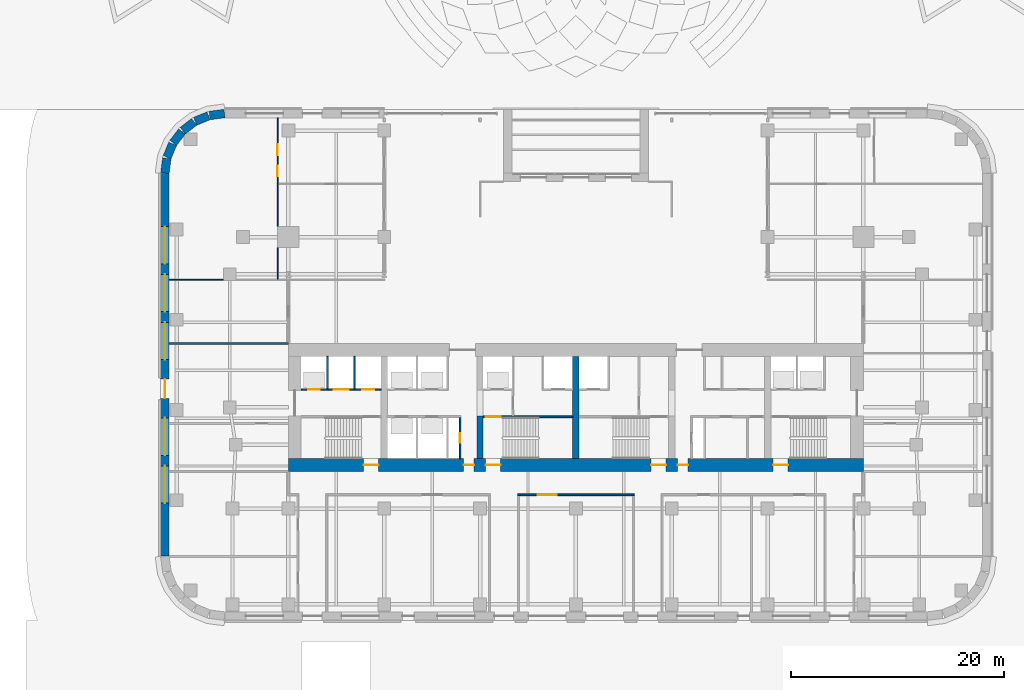
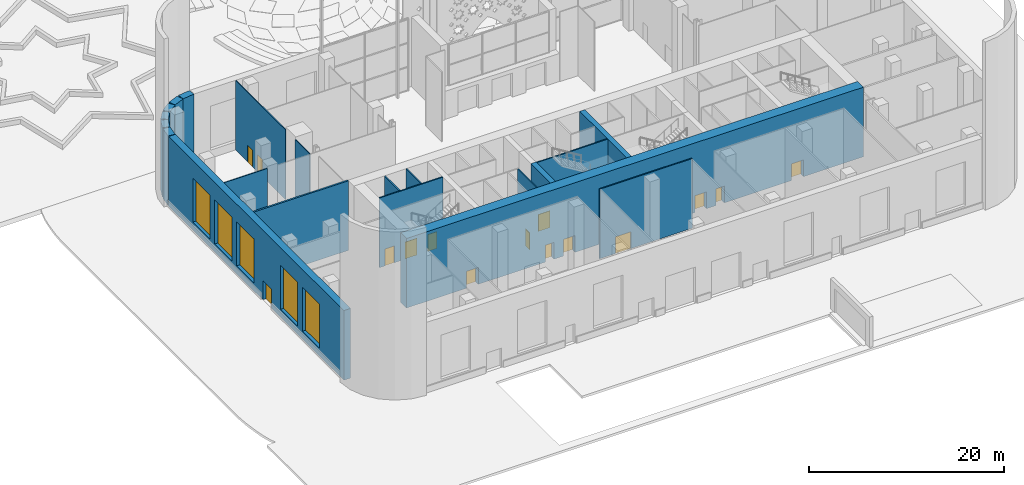
# One storey, part 11 of 23: 20 walls, 15 doors, 5 windows, 20 openings.
"""IFC4 building model written with IfcOpenShell, lengths in metres."""

from ifc_helpers import new_model, si_unit, direction, frame, frame_2d, origin, place, context, subcontext, project, spatial, rectangle, extrude, material, layer, layer_set, type_object, element, fill, save


model = new_model("IFC4")

# Units and contexts
model_context = context("Model", 3, precision=1e-05, world=origin(), true_north=direction((0.0, 1.0)))
body_context = subcontext(model_context, "Body", "Model", "MODEL_VIEW")
ifc_project = project(units=[si_unit("LENGTHUNIT", "METRE"), si_unit("AREAUNIT", "SQUARE_METRE"), si_unit("VOLUMEUNIT", "CUBIC_METRE"), si_unit("PLANEANGLEUNIT", "RADIAN"), si_unit("MASSUNIT", "GRAM", prefix="KILO")], contexts=[model_context])

# Site, building, storey
site_placement = place(None, origin())
site = spatial("IfcSite", under=ifc_project, at=site_placement, CompositionType="ELEMENT")
building_placement = place(site_placement, origin())
building = spatial("IfcBuilding", under=site, at=building_placement, Name="Zellij Exchange Tower", CompositionType="ELEMENT")
storey_placement = place(building_placement, origin())
storey = spatial("IfcBuildingStorey", under=building, at=storey_placement, Name="L00", CompositionType="ELEMENT", Elevation=0.0)

# Walls
ifc_material_1 = material(Name="Concrete C70/85", Category="concrete")
ifc_layer_1 = layer(ifc_material_1, 0.60009765625)
ifc_layer_set_1 = layer_set([ifc_layer_1], Name="Concrete C70/85")
wall_type_1 = type_object("IfcWallType", Name="CORE-CW 600 C70/85", PredefinedType="SHEAR", material=ifc_layer_set_1)
wall_1_placement = place(storey_placement, frame((-9.0, -12.800048828125, 0.0), z_axis=(0.0, 0.0, 1.0), x_axis=(0.0, 1.0, 0.0)))
element("IfcWall", 1, at=wall_1_placement, inside=storey, type_object=wall_type_1, Name="Core cross wall pier x -9 a L00", PredefinedType="SHEAR", context=body_context, shape_type="SweptSolid", body=[
    extrude(rectangle(XDim=4.0, YDim=0.60009765625, at=frame_2d((2.0, 0.0))), origin(), (0.0, 0.0, 1.0), 8.699951171875),
])
wall_2_placement = place(storey_placement, frame((0.0, -12.800048828125, 0.0), z_axis=(0.0, 0.0, 1.0), x_axis=(0.0, 1.0, 0.0)))
element("IfcWall", 2, at=wall_2_placement, inside=storey, type_object=wall_type_1, Name="Core cross wall x 0 L00", PredefinedType="SHEAR", context=body_context, shape_type="SweptSolid", body=[
    extrude(rectangle(XDim=9.60009765625, YDim=0.60009765625, at=frame_2d((4.800048828125, 0.0))), origin(), (0.0, 0.0, 1.0), 8.699951171875),
])

# Wall, opening, door
ifc_material_2 = material(Name="Gypsum board partition")
ifc_layer_2 = layer(ifc_material_2, 0.14990234375)
ifc_layer_set_2 = layer_set([ifc_layer_2], Name="Gypsum board partition")
wall_type_2 = type_object("IfcWallType", Name="CORE-PW 150 Lift lobby wall", PredefinedType="PARTITIONING", material=ifc_layer_set_2)
wall_3_placement = place(storey_placement, frame((-10.875, -12.800048828125, 0.0), z_axis=(0.0, 0.0, 1.0), x_axis=(0.0, 1.0, 0.0)))
wall_3 = element("IfcWall", 3, at=wall_3_placement, inside=storey, type_object=wall_type_2, Name="Lift lobby wall L00", PredefinedType="PARTITIONING", context=body_context, shape_type="SweptSolid", body=[
    extrude(rectangle(XDim=3.85009765625, YDim=0.14990234375, at=frame_2d((1.925048828125, 0.0))), origin(), (0.0, 0.0, 1.0), 8.699951171875),
])
opening_1_placement = place(wall_3_placement, frame((1.47509765625, 0.0, 0.0)))
opening_1 = element("IfcOpeningElement", 4, at=opening_1_placement, cuts=wall_3, Name="Opening CA-03.11", PredefinedType="OPENING", context=body_context, shape_type="SweptSolid", body=[
    extrude(rectangle(XDim=0.89990234375, YDim=2.10009765625, at=frame_2d((0.449951171875, 1.050048828125))), frame((0.0, 0.0869140625, 0.0), z_axis=(0.0, -1.0, 0.0), x_axis=(1.0, 0.0, 0.0)), (0.0, 0.0, 1.0), 0.173828125),
])
ifc_material_3 = material(Name="Hollow metal fire door")
door_type_1 = type_object("IfcDoorType", Name="CORE-D RD Riser door 900x2100 1.5 HR", OperationType="NOTDEFINED", PredefinedType="DOOR", material=ifc_material_3)
door_1_placement = place(opening_1_placement, origin())
door_1 = element("IfcDoor", 5, at=door_1_placement, inside=storey, type_object=door_type_1, Name="Riser door CA-03.11", OperationType="SINGLE_SWING_RIGHT", OverallHeight=2.10009765625, OverallWidth=0.89990234375, PredefinedType="DOOR", context=body_context, shape_type="SweptSolid", body=[
    extrude(rectangle(XDim=0.89990234375, YDim=2.10009765625, at=frame_2d((0.449951171875, 1.050048828125))), frame((0.0, 0.02490234375, 0.0), z_axis=(0.0, -1.0, 0.0), x_axis=(1.0, 0.0, 0.0)), (0.0, 0.0, 1.0), 0.050048828125),
])
fill(opening_1, door_1)

# Walls
ifc_material_4 = material(Name="Gypsum shaft wall system")
ifc_layer_3 = layer(ifc_material_4, 0.14990234375)
ifc_layer_set_3 = layer_set([ifc_layer_3], Name="Gypsum shaft wall system")
wall_type_3 = type_object("IfcWallType", Name="CORE-PW 150 Lift shaft wall", PredefinedType="PARTITIONING", material=ifc_layer_set_3)
for number, where, z_axis, x_axis, name in (
    (6, (-20.77490234375, -6.22509765625, 0.0), (0.0, 0.0, 1.0), (0.0, 1.0, 0.0), "Lift shaft wall L00"),
    (7, (-23.324951171875, -6.22509765625, 0.0), (0.0, 0.0, 1.0), (0.0, 1.0, 0.0), "Lift shaft wall L00"),
):
    element("IfcWall", number, at=place(storey_placement, frame(where, z_axis=z_axis, x_axis=x_axis)), inside=storey, type_object=wall_type_3, Name=name, PredefinedType="PARTITIONING", context=body_context, shape_type="SweptSolid", body=[
        extrude(rectangle(XDim=3.025146484375, YDim=0.14990234375, at=frame_2d((1.5126953125, 0.0))), origin(), (0.0, 0.0, 1.0), 8.699951171875),
    ])

# Wall, openings, doors
wall_4_placement = place(storey_placement, frame((-25.800048828125, -6.300048828125, 0.0), z_axis=(0.0, 0.0, 1.0), x_axis=(1.0, 0.0, 0.0)))
wall_4 = element("IfcWall", 8, at=wall_4_placement, inside=storey, type_object=wall_type_3, Name="Lift shaft wall L00", PredefinedType="PARTITIONING", context=body_context, shape_type="SweptSolid", body=[
    extrude(rectangle(XDim=7.5, YDim=0.14990234375, at=frame_2d((3.75, 0.0))), origin(), (0.0, 0.0, 1.0), 8.699951171875),
])
opening_2_placement = place(wall_4_placement, frame((0.64990234375, 0.0, 0.0)))
opening_2 = element("IfcOpeningElement", 9, at=opening_2_placement, cuts=wall_4, Name="Opening CA-03.02", PredefinedType="OPENING", context=body_context, shape_type="SweptSolid", body=[
    extrude(rectangle(XDim=1.10009765625, YDim=2.10009765625, at=frame_2d((0.550048828125, 1.050048828125))), frame((0.0, 0.0869140625, 0.0), z_axis=(0.0, -1.0, 0.0), x_axis=(1.0, 0.0, 0.0)), (0.0, 0.0, 1.0), 0.173828125),
])
opening_3_placement = place(wall_4_placement, frame((3.050048828125, 0.0, 0.0)))
opening_3 = element("IfcOpeningElement", 10, at=opening_3_placement, cuts=wall_4, Name="Opening CA-03.03", PredefinedType="OPENING", context=body_context, shape_type="SweptSolid", body=[
    extrude(rectangle(XDim=1.39990234375, YDim=2.10009765625, at=frame_2d((0.699951171875, 1.050048828125))), frame((0.0, 0.0869140625, 0.0), z_axis=(0.0, -1.0, 0.0), x_axis=(1.0, 0.0, 0.0)), (0.0, 0.0, 1.0), 0.173828125),
])
opening_4_placement = place(wall_4_placement, frame((5.75, 0.0, 0.0)))
opening_4 = element("IfcOpeningElement", 11, at=opening_4_placement, cuts=wall_4, Name="Opening CA-03.04", PredefinedType="OPENING", context=body_context, shape_type="SweptSolid", body=[
    extrude(rectangle(XDim=1.10009765625, YDim=2.10009765625, at=frame_2d((0.550048828125, 1.050048828125))), frame((0.0, 0.0869140625, 0.0), z_axis=(0.0, -1.0, 0.0), x_axis=(1.0, 0.0, 0.0)), (0.0, 0.0, 1.0), 0.173828125),
])
door_type_2 = type_object("IfcDoorType", Name="CORE-D LD Lift landing door 1100x2100 1.5 HR", OperationType="NOTDEFINED", PredefinedType="DOOR", material=ifc_material_3)
door_2_placement = place(opening_2_placement, origin())
door_2 = element("IfcDoor", 12, at=door_2_placement, inside=storey, type_object=door_type_2, Name="Lift landing door CA-03.02", OperationType="SLIDING_TO_RIGHT", OverallHeight=2.10009765625, OverallWidth=1.10009765625, PredefinedType="DOOR", context=body_context, shape_type="SweptSolid", body=[
    extrude(rectangle(XDim=1.10009765625, YDim=2.10009765625, at=frame_2d((0.550048828125, 1.050048828125))), frame((0.0, 0.02490234375, 0.0), z_axis=(0.0, -1.0, 0.0), x_axis=(1.0, 0.0, 0.0)), (0.0, 0.0, 1.0), 0.050048828125),
])
fill(opening_2, door_2)
door_3_placement = place(opening_4_placement, origin())
door_3 = element("IfcDoor", 13, at=door_3_placement, inside=storey, type_object=door_type_2, Name="Lift landing door CA-03.04", OperationType="SLIDING_TO_RIGHT", OverallHeight=2.10009765625, OverallWidth=1.10009765625, PredefinedType="DOOR", context=body_context, shape_type="SweptSolid", body=[
    extrude(rectangle(XDim=1.10009765625, YDim=2.10009765625, at=frame_2d((0.550048828125, 1.050048828125))), frame((0.0, 0.02490234375, 0.0), z_axis=(0.0, -1.0, 0.0), x_axis=(1.0, 0.0, 0.0)), (0.0, 0.0, 1.0), 0.050048828125),
])
fill(opening_4, door_3)
door_type_3 = type_object("IfcDoorType", Name="CORE-D LD2 Service lift landing door 1400x2100 1.5 HR", OperationType="NOTDEFINED", PredefinedType="DOOR", material=ifc_material_3)
door_4_placement = place(opening_3_placement, origin())
door_4 = element("IfcDoor", 14, at=door_4_placement, inside=storey, type_object=door_type_3, Name="Service lift landing door CA-03.03", OperationType="SLIDING_TO_LEFT", OverallHeight=2.10009765625, OverallWidth=1.39990234375, PredefinedType="DOOR", context=body_context, shape_type="SweptSolid", body=[
    extrude(rectangle(XDim=1.39990234375, YDim=2.10009765625, at=frame_2d((0.699951171875, 1.050048828125))), frame((0.0, 0.02490234375, 0.0), z_axis=(0.0, -1.0, 0.0), x_axis=(1.0, 0.0, 0.0)), (0.0, 0.0, 1.0), 0.050048828125),
])
fill(opening_3, door_4)

ifc_layer_4 = layer(ifc_material_1, 1.199951171875)
ifc_layer_set_4 = layer_set([ifc_layer_4], Name="Concrete C70/85")
wall_type_4 = type_object("IfcWallType", Name="CORE-SW 1200 C70/85", PredefinedType="SHEAR", material=ifc_layer_set_4)
wall_5_placement = place(storey_placement, frame((-27.0, -13.39990234375, 0.0), z_axis=(0.0, 0.0, 1.0), x_axis=(1.0, 0.0, 0.0)))
wall_5 = element("IfcWall", 15, at=wall_5_placement, inside=storey, type_object=wall_type_4, Name="Core shear wall rear L00", PredefinedType="SHEAR", context=body_context, shape_type="SweptSolid", body=[
    extrude(rectangle(XDim=54.0, YDim=1.199951171875, at=frame_2d((27.0, 0.0))), origin(), (0.0, 0.0, 1.0), 8.699951171875),
])
opening_5_placement = place(wall_5_placement, frame((7.074951171875, 0.0, 0.0)))
opening_5 = element("IfcOpeningElement", 16, at=opening_5_placement, cuts=wall_5, Name="Opening CA-03.05", PredefinedType="OPENING", context=body_context, shape_type="SweptSolid", body=[
    extrude(rectangle(XDim=1.39990234375, YDim=2.10009765625, at=frame_2d((0.699951171875, 1.050048828125))), frame((0.0, 0.61181640625, 0.0), z_axis=(0.0, -1.0, 0.0), x_axis=(1.0, 0.0, 0.0)), (0.0, 0.0, 1.0), 1.223876953125),
])
opening_6_placement = place(wall_5_placement, frame((16.449951171875, 0.0, 0.0)))
opening_6 = element("IfcOpeningElement", 17, at=opening_6_placement, cuts=wall_5, Name="Opening CA-03.13", PredefinedType="OPENING", context=body_context, shape_type="SweptSolid", body=[
    extrude(rectangle(XDim=1.0, YDim=2.10009765625, at=frame_2d((0.5, 1.050048828125))), frame((0.0, 0.61181640625, 0.0), z_axis=(0.0, -1.0, 0.0), x_axis=(1.0, 0.0, 0.0)), (0.0, 0.0, 1.0), 1.223876953125),
])
opening_7_placement = place(wall_5_placement, frame((18.52490234375, 0.0, 0.0)))
opening_7 = element("IfcOpeningElement", 18, at=opening_7_placement, cuts=wall_5, Name="Opening CA-03.14", PredefinedType="OPENING", context=body_context, shape_type="SweptSolid", body=[
    extrude(rectangle(XDim=1.39990234375, YDim=2.10009765625, at=frame_2d((0.699951171875, 1.050048828125))), frame((0.0, 0.61181640625, 0.0), z_axis=(0.0, -1.0, 0.0), x_axis=(1.0, 0.0, 0.0)), (0.0, 0.0, 1.0), 1.223876953125),
])
opening_8_placement = place(wall_5_placement, frame((34.074951171875, 0.0, 0.0)))
opening_8 = element("IfcOpeningElement", 19, at=opening_8_placement, cuts=wall_5, Name="Opening CA-03.21", PredefinedType="OPENING", context=body_context, shape_type="SweptSolid", body=[
    extrude(rectangle(XDim=1.39990234375, YDim=2.10009765625, at=frame_2d((0.699951171875, 1.050048828125))), frame((0.0, 0.61181640625, 0.0), z_axis=(0.0, -1.0, 0.0), x_axis=(1.0, 0.0, 0.0)), (0.0, 0.0, 1.0), 1.223876953125),
])
opening_9_placement = place(wall_5_placement, frame((36.550048828125, 0.0, 0.0)))
opening_9 = element("IfcOpeningElement", 20, at=opening_9_placement, cuts=wall_5, Name="Opening CA-03.23", PredefinedType="OPENING", context=body_context, shape_type="SweptSolid", body=[
    extrude(rectangle(XDim=1.0, YDim=2.10009765625, at=frame_2d((0.5, 1.050048828125))), frame((0.0, 0.61181640625, 0.0), z_axis=(0.0, -1.0, 0.0), x_axis=(1.0, 0.0, 0.0)), (0.0, 0.0, 1.0), 1.223876953125),
])
opening_10_placement = place(wall_5_placement, frame((45.52490234375, 0.0, 0.0)))
opening_10 = element("IfcOpeningElement", 21, at=opening_10_placement, cuts=wall_5, Name="Opening CA-03.30", PredefinedType="OPENING", context=body_context, shape_type="SweptSolid", body=[
    extrude(rectangle(XDim=1.39990234375, YDim=2.10009765625, at=frame_2d((0.699951171875, 1.050048828125))), frame((0.0, 0.61181640625, 0.0), z_axis=(0.0, -1.0, 0.0), x_axis=(1.0, 0.0, 0.0)), (0.0, 0.0, 1.0), 1.223876953125),
])
door_type_4 = type_object("IfcDoorType", Name="CORE-D CR Core rear door 1000x2100 20 MIN", OperationType="NOTDEFINED", PredefinedType="DOOR", material=ifc_material_3)
door_5_placement = place(opening_6_placement, origin())
door_5 = element("IfcDoor", 22, at=door_5_placement, inside=storey, type_object=door_type_4, Name="Core rear door CA-03.13", OperationType="SINGLE_SWING_RIGHT", OverallHeight=2.10009765625, OverallWidth=1.0, PredefinedType="DOOR", context=body_context, shape_type="SweptSolid", body=[
    extrude(rectangle(XDim=1.0, YDim=2.10009765625, at=frame_2d((0.5, 1.050048828125))), frame((0.0, 0.02490234375, 0.0), z_axis=(0.0, -1.0, 0.0), x_axis=(1.0, 0.0, 0.0)), (0.0, 0.0, 1.0), 0.050048828125),
])
fill(opening_6, door_5)
door_6_placement = place(opening_9_placement, origin())
door_6 = element("IfcDoor", 23, at=door_6_placement, inside=storey, type_object=door_type_4, Name="Core rear door CA-03.23", OperationType="SINGLE_SWING_LEFT", OverallHeight=2.10009765625, OverallWidth=1.0, PredefinedType="DOOR", context=body_context, shape_type="SweptSolid", body=[
    extrude(rectangle(XDim=1.0, YDim=2.10009765625, at=frame_2d((0.5, 1.050048828125))), frame((0.0, 0.02490234375, 0.0), z_axis=(0.0, -1.0, 0.0), x_axis=(1.0, 0.0, 0.0)), (0.0, 0.0, 1.0), 0.050048828125),
])
fill(opening_9, door_6)
door_type_5 = type_object("IfcDoorType", Name="CORE-D SX Stair discharge door 1400x2100 1.5 HR", OperationType="NOTDEFINED", PredefinedType="DOOR", material=ifc_material_3)
door_7_placement = place(opening_5_placement, origin())
door_7 = element("IfcDoor", 24, at=door_7_placement, inside=storey, type_object=door_type_5, Name="Stair discharge door CA-03.05", OperationType="DOUBLE_DOOR_SINGLE_SWING", OverallHeight=2.10009765625, OverallWidth=1.39990234375, PredefinedType="DOOR", context=body_context, shape_type="SweptSolid", body=[
    extrude(rectangle(XDim=1.39990234375, YDim=2.10009765625, at=frame_2d((0.699951171875, 1.050048828125))), frame((0.0, 0.02490234375, 0.0), z_axis=(0.0, -1.0, 0.0), x_axis=(1.0, 0.0, 0.0)), (0.0, 0.0, 1.0), 0.050048828125),
])
fill(opening_5, door_7)
door_8_placement = place(opening_7_placement, origin())
door_8 = element("IfcDoor", 25, at=door_8_placement, inside=storey, type_object=door_type_5, Name="Stair discharge door CA-03.14", OperationType="DOUBLE_DOOR_SINGLE_SWING", OverallHeight=2.10009765625, OverallWidth=1.39990234375, PredefinedType="DOOR", context=body_context, shape_type="SweptSolid", body=[
    extrude(rectangle(XDim=1.39990234375, YDim=2.10009765625, at=frame_2d((0.699951171875, 1.050048828125))), frame((0.0, 0.02490234375, 0.0), z_axis=(0.0, -1.0, 0.0), x_axis=(1.0, 0.0, 0.0)), (0.0, 0.0, 1.0), 0.050048828125),
])
fill(opening_7, door_8)
door_9_placement = place(opening_8_placement, origin())
door_9 = element("IfcDoor", 26, at=door_9_placement, inside=storey, type_object=door_type_5, Name="Stair discharge door CA-03.21", OperationType="DOUBLE_DOOR_SINGLE_SWING", OverallHeight=2.10009765625, OverallWidth=1.39990234375, PredefinedType="DOOR", context=body_context, shape_type="SweptSolid", body=[
    extrude(rectangle(XDim=1.39990234375, YDim=2.10009765625, at=frame_2d((0.699951171875, 1.050048828125))), frame((0.0, 0.02490234375, 0.0), z_axis=(0.0, -1.0, 0.0), x_axis=(1.0, 0.0, 0.0)), (0.0, 0.0, 1.0), 0.050048828125),
])
fill(opening_8, door_9)
door_10_placement = place(opening_10_placement, origin())
door_10 = element("IfcDoor", 27, at=door_10_placement, inside=storey, type_object=door_type_5, Name="Stair discharge door CA-03.30", OperationType="DOUBLE_DOOR_SINGLE_SWING", OverallHeight=2.10009765625, OverallWidth=1.39990234375, PredefinedType="DOOR", context=body_context, shape_type="SweptSolid", body=[
    extrude(rectangle(XDim=1.39990234375, YDim=2.10009765625, at=frame_2d((0.699951171875, 1.050048828125))), frame((0.0, 0.02490234375, 0.0), z_axis=(0.0, -1.0, 0.0), x_axis=(1.0, 0.0, 0.0)), (0.0, 0.0, 1.0), 0.050048828125),
])
fill(opening_10, door_10)

# Wall, opening, door
ifc_layer_5 = layer(ifc_material_1, 0.14990234375)
ifc_layer_set_5 = layer_set([ifc_layer_5], Name="Concrete C70/85")
wall_type_5 = type_object("IfcWallType", Name="CORE-SWS 150 C70/85", PredefinedType="SHEAR", material=ifc_layer_set_5)
wall_6_placement = place(storey_placement, frame((-8.699951171875, -8.875, 0.0), z_axis=(0.0, 0.0, 1.0), x_axis=(1.0, 0.0, 0.0)))
wall_6 = element("IfcWall", 28, at=wall_6_placement, inside=storey, type_object=wall_type_5, Name="Stair enclosure wall L00", PredefinedType="SHEAR", context=body_context, shape_type="SweptSolid", body=[
    extrude(rectangle(XDim=8.39990234375, YDim=0.14990234375, at=frame_2d((4.199951171875, 0.0))), origin(), (0.0, 0.0, 1.0), 8.699951171875),
])
opening_11_placement = place(wall_6_placement, frame((0.22509765625, 0.0, 0.0)))
opening_11 = element("IfcOpeningElement", 29, at=opening_11_placement, cuts=wall_6, Name="Opening CA-03.15", PredefinedType="OPENING", context=body_context, shape_type="SweptSolid", body=[
    extrude(rectangle(XDim=1.39990234375, YDim=2.10009765625, at=frame_2d((0.699951171875, 1.050048828125))), frame((0.0, 0.0869140625, 0.0), z_axis=(0.0, -1.0, 0.0), x_axis=(1.0, 0.0, 0.0)), (0.0, 0.0, 1.0), 0.173828125),
])
door_type_6 = type_object("IfcDoorType", Name="CORE-D SD Stair door 1400x2100 1.5 HR", OperationType="NOTDEFINED", PredefinedType="DOOR", material=ifc_material_3)
door_11_placement = place(opening_11_placement, origin())
door_11 = element("IfcDoor", 30, at=door_11_placement, inside=storey, type_object=door_type_6, Name="Stair door CA-03.15", OperationType="DOUBLE_DOOR_SINGLE_SWING", OverallHeight=2.10009765625, OverallWidth=1.39990234375, PredefinedType="DOOR", context=body_context, shape_type="SweptSolid", body=[
    extrude(rectangle(XDim=1.39990234375, YDim=2.10009765625, at=frame_2d((0.699951171875, 1.050048828125))), frame((0.0, 0.02490234375, 0.0), z_axis=(0.0, -1.0, 0.0), x_axis=(1.0, 0.0, 0.0)), (0.0, 0.0, 1.0), 0.050048828125),
])
fill(opening_11, door_11)

# Walls
ifc_material_5 = material(Name="Precast concrete C40/50", Category="concrete")
ifc_layer_6 = layer(ifc_material_5, 0.800048828125)
ifc_layer_set_6 = layer_set([ifc_layer_6], Name="Precast concrete C40/50")
wall_type_6 = type_object("IfcWallType", Name="ENV-EW1 Precast stone-piered wall 800", PredefinedType="SOLIDWALL", material=ifc_layer_set_6)
wall_7_placement = place(storey_placement, frame((-32.999755859375, 19.5966796875, 0.0), z_axis=(0.0, 0.0, 1.0), x_axis=(-0.99144603414, -0.130517283865, 0.0)))
element("IfcWall", 31, at=wall_7_placement, inside=storey, type_object=wall_type_6, Name="fac.L00.15", PredefinedType="SOLIDWALL", context=body_context, shape_type="SweptSolid", body=[
    extrude(rectangle(XDim=1.408447265625, YDim=0.800048828125, at=frame_2d((0.7041015625, 0.0))), origin(), (0.0, 0.0, 1.0), 8.699951171875),
])
wall_8_placement = place(storey_placement, frame((-34.497314453125, 19.3857421875, 0.0), z_axis=(0.0, 0.0, 1.0), x_axis=(-0.923847774587, -0.38276009378, 0.0)))
element("IfcWall", 32, at=wall_8_placement, inside=storey, type_object=wall_type_6, Name="fac.L00.16", PredefinedType="SOLIDWALL", context=body_context, shape_type="SweptSolid", body=[
    extrude(rectangle(XDim=1.35546875, YDim=0.800048828125, at=frame_2d((0.677734375, 0.0))), origin(), (0.0, 0.0, 1.0), 8.699951171875),
])
for number, where, z_axis, x_axis, name in (
    (33, (-35.840087890625, 18.814697265625, 0.0), (0.0, 0.0, 1.0), (-0.793272915452, -0.608866226366, 0.0), "fac.L00.17"),
    (34, (-36.9892578125, 17.91552734375, 0.0), (0.0, 0.0, 1.0), (-0.608866226366, -0.793272915452, 0.0), "fac.L00.18"),
):
    element("IfcWall", number, at=place(storey_placement, frame(where, z_axis=z_axis, x_axis=x_axis)), inside=storey, type_object=wall_type_6, Name=name, PredefinedType="SOLIDWALL", context=body_context, shape_type="SweptSolid", body=[
        extrude(rectangle(XDim=1.355712890625, YDim=0.800048828125, at=frame_2d((0.677734375, 0.0))), origin(), (0.0, 0.0, 1.0), 8.699951171875),
    ])
wall_9_placement = place(storey_placement, frame((-37.866943359375, 16.74951171875, 0.0), z_axis=(0.0, 0.0, 1.0), x_axis=(-0.38276009378, -0.923847774587, 0.0)))
element("IfcWall", 35, at=wall_9_placement, inside=storey, type_object=wall_type_6, Name="fac.L00.19", PredefinedType="SOLIDWALL", context=body_context, shape_type="SweptSolid", body=[
    extrude(rectangle(XDim=1.35546875, YDim=0.800048828125, at=frame_2d((0.677734375, 0.0))), origin(), (0.0, 0.0, 1.0), 8.699951171875),
])
wall_10_placement = place(storey_placement, frame((-38.412841796875, 15.396240234375, 0.0), z_axis=(0.0, 0.0, 1.0), x_axis=(-0.130517283865, -0.99144603414, 0.0)))
element("IfcWall", 36, at=wall_10_placement, inside=storey, type_object=wall_type_6, Name="fac.L00.20", PredefinedType="SOLIDWALL", context=body_context, shape_type="SweptSolid", body=[
    extrude(rectangle(XDim=1.408447265625, YDim=0.800048828125, at=frame_2d((0.7041015625, 0.0))), origin(), (0.0, 0.0, 1.0), 8.699951171875),
])

# Wall, openings, door, windows
wall_11_placement = place(storey_placement, frame((-38.60009765625, 13.947509765625, 0.0), z_axis=(0.0, 0.0, 1.0), x_axis=(0.0, -1.0, 0.0)))
wall_11 = element("IfcWall", 37, at=wall_11_placement, inside=storey, type_object=wall_type_6, Name="fac.L00.21", PredefinedType="SOLIDWALL", context=body_context, shape_type="SweptSolid", body=[
    extrude(rectangle(XDim=35.89501953125, YDim=0.800048828125, at=frame_2d((17.947509765625, 0.0))), origin(), (0.0, 0.0, 1.0), 8.699951171875),
])
opening_12_placement = place(wall_11_placement, frame((4.9638671875, 0.0, 1.0)))
opening_12 = element("IfcOpeningElement", 38, at=opening_12_placement, cuts=wall_11, Name="Opening FP0.16", PredefinedType="OPENING", context=body_context, shape_type="SweptSolid", body=[
    extrude(rectangle(XDim=3.5, YDim=5.5, at=frame_2d((1.75, 2.75))), frame((0.0, 0.412109375, 0.0), z_axis=(0.0, -1.0, 0.0), x_axis=(1.0, 0.0, 0.0)), (0.0, 0.0, 1.0), 0.823974609375),
])
opening_13_placement = place(wall_11_placement, frame((9.45751953125, 0.0, 1.0)))
opening_13 = element("IfcOpeningElement", 39, at=opening_13_placement, cuts=wall_11, Name="Opening FP0.17", PredefinedType="OPENING", context=body_context, shape_type="SweptSolid", body=[
    extrude(rectangle(XDim=3.5, YDim=5.5, at=frame_2d((1.75, 2.75))), frame((0.0, 0.412109375, 0.0), z_axis=(0.0, -1.0, 0.0), x_axis=(1.0, 0.0, 0.0)), (0.0, 0.0, 1.0), 0.823974609375),
])
opening_14_placement = place(wall_11_placement, frame((13.950927734375, 0.0, 1.0)))
opening_14 = element("IfcOpeningElement", 40, at=opening_14_placement, cuts=wall_11, Name="Opening FP0.18", PredefinedType="OPENING", context=body_context, shape_type="SweptSolid", body=[
    extrude(rectangle(XDim=3.5, YDim=5.5, at=frame_2d((1.75, 2.75))), frame((0.0, 0.412109375, 0.0), z_axis=(0.0, -1.0, 0.0), x_axis=(1.0, 0.0, 0.0)), (0.0, 0.0, 1.0), 0.823974609375),
])
opening_15_placement = place(wall_11_placement, frame((22.937744140625, 0.0, 1.0)))
opening_15 = element("IfcOpeningElement", 41, at=opening_15_placement, cuts=wall_11, Name="Opening FP0.19", PredefinedType="OPENING", context=body_context, shape_type="SweptSolid", body=[
    extrude(rectangle(XDim=3.5, YDim=5.5, at=frame_2d((1.75, 2.75))), frame((0.0, 0.412109375, 0.0), z_axis=(0.0, -1.0, 0.0), x_axis=(1.0, 0.0, 0.0)), (0.0, 0.0, 1.0), 0.823974609375),
])
opening_16_placement = place(wall_11_placement, frame((27.43115234375, 0.0, 1.0)))
opening_16 = element("IfcOpeningElement", 42, at=opening_16_placement, cuts=wall_11, Name="Opening FP0.20", PredefinedType="OPENING", context=body_context, shape_type="SweptSolid", body=[
    extrude(rectangle(XDim=3.5, YDim=5.5, at=frame_2d((1.75, 2.75))), frame((0.0, 0.412109375, 0.0), z_axis=(0.0, -1.0, 0.0), x_axis=(1.0, 0.0, 0.0)), (0.0, 0.0, 1.0), 0.823974609375),
])
opening_17_placement = place(wall_11_placement, frame((19.294189453125, 0.0, 0.0)))
opening_17 = element("IfcOpeningElement", 43, at=opening_17_placement, cuts=wall_11, Name="Opening FP0.34", PredefinedType="OPENING", context=body_context, shape_type="SweptSolid", body=[
    extrude(rectangle(XDim=1.800048828125, YDim=2.39990234375, at=frame_2d((0.89990234375, 1.199951171875))), frame((0.0, 0.412109375, 0.0), z_axis=(0.0, -1.0, 0.0), x_axis=(1.0, 0.0, 0.0)), (0.0, 0.0, 1.0), 0.823974609375),
])
ifc_material_6 = material(Name="Aluminium and glass entrance door", Category="aluminium")
door_type_7 = type_object("IfcDoorType", Name="ENV-ED2 Side entrance 1800x2400", OperationType="DOUBLE_DOOR_SINGLE_SWING", PredefinedType="DOOR", material=ifc_material_6)
door_12_placement = place(opening_17_placement, frame((1.800048828125, 0.0, 0.0), z_axis=(0.0, 0.0, 1.0), x_axis=(-1.0, 0.0, 0.0)))
door_12 = element("IfcDoor", 44, at=door_12_placement, inside=storey, type_object=door_type_7, Name="Side entrance door FP0.34", OperationType="DOUBLE_DOOR_SINGLE_SWING", OverallHeight=2.39990234375, OverallWidth=1.800048828125, PredefinedType="DOOR", context=body_context, shape_type="SweptSolid", body=[
    extrude(rectangle(XDim=1.800048828125, YDim=2.39990234375, at=frame_2d((0.89990234375, 1.199951171875))), frame((0.0, 0.02490234375, 0.0), z_axis=(0.0, -1.0, 0.0), x_axis=(1.0, 0.0, 0.0)), (0.0, 0.0, 1.0), 0.050048828125),
])
fill(opening_17, door_12)
ifc_material_7 = material(Name="Aluminium frame with insulating glass", Category="aluminium")
window_type = type_object("IfcWindowType", Name="ENV-W3 Window 3500x5500", PartitioningType="SINGLE_PANEL", PredefinedType="WINDOW", material=ifc_material_7)
window_1_placement = place(opening_12_placement, origin())
window_1 = element("IfcWindow", 45, at=window_1_placement, inside=storey, type_object=window_type, Name="Window FP0.16", OverallHeight=5.5, OverallWidth=3.5, PartitioningType="SINGLE_PANEL", PredefinedType="WINDOW", context=body_context, shape_type="SweptSolid", body=[
    extrude(rectangle(XDim=3.5, YDim=5.5, at=frame_2d((1.75, 2.75))), frame((0.0, 0.030029296875, 0.0), z_axis=(0.0, -1.0, 0.0), x_axis=(1.0, 0.0, 0.0)), (0.0, 0.0, 1.0), 0.06005859375),
])
fill(opening_12, window_1)
window_2_placement = place(opening_13_placement, origin())
window_2 = element("IfcWindow", 46, at=window_2_placement, inside=storey, type_object=window_type, Name="Window FP0.17", OverallHeight=5.5, OverallWidth=3.5, PartitioningType="SINGLE_PANEL", PredefinedType="WINDOW", context=body_context, shape_type="SweptSolid", body=[
    extrude(rectangle(XDim=3.5, YDim=5.5, at=frame_2d((1.75, 2.75))), frame((0.0, 0.030029296875, 0.0), z_axis=(0.0, -1.0, 0.0), x_axis=(1.0, 0.0, 0.0)), (0.0, 0.0, 1.0), 0.06005859375),
])
fill(opening_13, window_2)
window_3_placement = place(opening_14_placement, origin())
window_3 = element("IfcWindow", 47, at=window_3_placement, inside=storey, type_object=window_type, Name="Window FP0.18", OverallHeight=5.5, OverallWidth=3.5, PartitioningType="SINGLE_PANEL", PredefinedType="WINDOW", context=body_context, shape_type="SweptSolid", body=[
    extrude(rectangle(XDim=3.5, YDim=5.5, at=frame_2d((1.75, 2.75))), frame((0.0, 0.030029296875, 0.0), z_axis=(0.0, -1.0, 0.0), x_axis=(1.0, 0.0, 0.0)), (0.0, 0.0, 1.0), 0.06005859375),
])
fill(opening_14, window_3)
window_4_placement = place(opening_15_placement, origin())
window_4 = element("IfcWindow", 48, at=window_4_placement, inside=storey, type_object=window_type, Name="Window FP0.19", OverallHeight=5.5, OverallWidth=3.5, PartitioningType="SINGLE_PANEL", PredefinedType="WINDOW", context=body_context, shape_type="SweptSolid", body=[
    extrude(rectangle(XDim=3.5, YDim=5.5, at=frame_2d((1.75, 2.75))), frame((0.0, 0.030029296875, 0.0), z_axis=(0.0, -1.0, 0.0), x_axis=(1.0, 0.0, 0.0)), (0.0, 0.0, 1.0), 0.06005859375),
])
fill(opening_15, window_4)
window_5_placement = place(opening_16_placement, origin())
window_5 = element("IfcWindow", 49, at=window_5_placement, inside=storey, type_object=window_type, Name="Window FP0.20", OverallHeight=5.5, OverallWidth=3.5, PartitioningType="SINGLE_PANEL", PredefinedType="WINDOW", context=body_context, shape_type="SweptSolid", body=[
    extrude(rectangle(XDim=3.5, YDim=5.5, at=frame_2d((1.75, 2.75))), frame((0.0, 0.030029296875, 0.0), z_axis=(0.0, -1.0, 0.0), x_axis=(1.0, 0.0, 0.0)), (0.0, 0.0, 1.0), 0.06005859375),
])
fill(opening_16, window_5)

# Walls
ifc_material_8 = material(Name="Blockwork fire wall", Category="masonry")
ifc_layer_7 = layer(ifc_material_8, 0.199951171875)
ifc_layer_set_7 = layer_set([ifc_layer_7], Name="Blockwork fire wall")
wall_type_7 = type_object("IfcWallType", Name="FIT-BLOCKWORK-200-EI120", PredefinedType="PARTITIONING", material=ifc_layer_set_7)
wall_12_placement = place(storey_placement, frame((-38.199951171875, -2.0, 0.0), z_axis=(0.0, 0.0, 1.0), x_axis=(1.0, 0.0, 0.0)))
element("IfcWall", 50, at=wall_12_placement, inside=storey, type_object=wall_type_7, Name="FIT-BLOCKWORK-200-EI120 024", PredefinedType="PARTITIONING", context=body_context, shape_type="SweptSolid", body=[
    extrude(rectangle(XDim=11.199951171875, YDim=0.199951171875, at=frame_2d((5.60009765625, 0.0))), origin(), (0.0, 0.0, 1.0), 8.699951171875),
])
ifc_material_9 = material(Name="Gypsum board partition on steel studs", Category="steel")
ifc_layer_8 = layer(ifc_material_9, 0.10009765625)
ifc_layer_set_8 = layer_set([ifc_layer_8], Name="Gypsum board partition on steel studs")
wall_type_8 = type_object("IfcWallType", Name="FIT-PARTITION-100", PredefinedType="PARTITIONING", material=ifc_layer_set_8)
wall_13_placement = place(storey_placement, frame((-38.199951171875, 4.0, 0.0), z_axis=(0.0, 0.0, 1.0), x_axis=(1.0, 0.0, 0.0)))
element("IfcWall", 51, at=wall_13_placement, inside=storey, type_object=wall_type_8, Name="FIT-PARTITION-100 027", PredefinedType="PARTITIONING", context=body_context, shape_type="SweptSolid", body=[
    extrude(rectangle(XDim=5.099853515625, YDim=0.10009765625, at=frame_2d((2.5498046875, 0.0))), origin(), (0.0, 0.0, 1.0), 8.699951171875),
])
wall_14_placement = place(storey_placement, frame((-28.0, 4.050048828125, 0.0), z_axis=(0.0, 0.0, 1.0), x_axis=(0.0, 1.0, 0.0)))
element("IfcWall", 52, at=wall_14_placement, inside=storey, type_object=wall_type_8, Name="FIT-PARTITION-100 029", PredefinedType="PARTITIONING", context=body_context, shape_type="SweptSolid", body=[
    extrude(rectangle(XDim=2.949951171875, YDim=0.10009765625, at=frame_2d((1.47509765625, 0.0))), origin(), (0.0, 0.0, 1.0), 8.699951171875),
])

# Wall, openings, doors
wall_15_placement = place(storey_placement, frame((-28.0, 9.0, 0.0), z_axis=(0.0, 0.0, 1.0), x_axis=(0.0, 1.0, 0.0)))
wall_15 = element("IfcWall", 53, at=wall_15_placement, inside=storey, type_object=wall_type_8, Name="FIT-PARTITION-100 030", PredefinedType="PARTITIONING", context=body_context, shape_type="SweptSolid", body=[
    extrude(rectangle(XDim=10.199951171875, YDim=0.10009765625, at=frame_2d((5.10009765625, 0.0))), origin(), (0.0, 0.0, 1.0), 8.699951171875),
])
opening_18_placement = place(wall_15_placement, frame((4.699951171875, 0.0, 0.0)))
opening_18 = element("IfcOpeningElement", 54, at=opening_18_placement, cuts=wall_15, Name="Opening P0.18", PredefinedType="OPENING", context=body_context, shape_type="SweptSolid", body=[
    extrude(rectangle(XDim=1.0, YDim=2.10009765625, at=frame_2d((0.5, 1.050048828125))), frame((0.0, 0.06201171875, 0.0), z_axis=(0.0, -1.0, 0.0), x_axis=(1.0, 0.0, 0.0)), (0.0, 0.0, 1.0), 0.1240234375),
])
opening_19_placement = place(wall_15_placement, frame((6.699951171875, 0.0, 0.0)))
opening_19 = element("IfcOpeningElement", 55, at=opening_19_placement, cuts=wall_15, Name="Opening P0.21", PredefinedType="OPENING", context=body_context, shape_type="SweptSolid", body=[
    extrude(rectangle(XDim=1.0, YDim=2.10009765625, at=frame_2d((0.5, 1.050048828125))), frame((0.0, 0.06201171875, 0.0), z_axis=(0.0, -1.0, 0.0), x_axis=(1.0, 0.0, 0.0)), (0.0, 0.0, 1.0), 0.1240234375),
])
ifc_material_10 = material(Name="Timber door set", Category="wood")
door_type_8 = type_object("IfcDoorType", Name="FIT-D2-WIDE-1000X2100", OperationType="SINGLE_SWING_LEFT", PredefinedType="DOOR", material=ifc_material_10)
door_13_placement = place(opening_18_placement, origin())
door_13 = element("IfcDoor", 56, at=door_13_placement, inside=storey, type_object=door_type_8, Name="Door P0.18", OperationType="SINGLE_SWING_LEFT", OverallHeight=2.10009765625, OverallWidth=1.0, PredefinedType="DOOR", context=body_context, shape_type="SweptSolid", body=[
    extrude(rectangle(XDim=1.0, YDim=2.10009765625, at=frame_2d((0.5, 1.050048828125))), frame((0.0, 0.02490234375, 0.0), z_axis=(0.0, -1.0, 0.0), x_axis=(1.0, 0.0, 0.0)), (0.0, 0.0, 1.0), 0.050048828125),
])
fill(opening_18, door_13)
door_14_placement = place(opening_19_placement, origin())
door_14 = element("IfcDoor", 57, at=door_14_placement, inside=storey, type_object=door_type_8, Name="Door P0.21", OperationType="SINGLE_SWING_RIGHT", OverallHeight=2.10009765625, OverallWidth=1.0, PredefinedType="DOOR", context=body_context, shape_type="SweptSolid", body=[
    extrude(rectangle(XDim=1.0, YDim=2.10009765625, at=frame_2d((0.5, 1.050048828125))), frame((0.0, 0.02490234375, 0.0), z_axis=(0.0, -1.0, 0.0), x_axis=(1.0, 0.0, 0.0)), (0.0, 0.0, 1.0), 0.050048828125),
])
fill(opening_19, door_14)

# Wall, opening, door
ifc_material_11 = material(Name="Gypsum board shaft-wall partition", Category="gypsum")
ifc_layer_9 = layer(ifc_material_11, 0.14990234375)
ifc_layer_set_9 = layer_set([ifc_layer_9], Name="Gypsum board shaft-wall partition")
wall_type_9 = type_object("IfcWallType", Name="FIT-PARTITION-150-EI60", PredefinedType="PARTITIONING", material=ifc_layer_set_9)
wall_16_placement = place(storey_placement, frame((-5.47509765625, -16.199951171875, 0.0), z_axis=(0.0, 0.0, 1.0), x_axis=(1.0, 0.0, 0.0)))
wall_16 = element("IfcWall", 58, at=wall_16_placement, inside=storey, type_object=wall_type_9, Name="FIT-PARTITION-150-EI60 015", PredefinedType="PARTITIONING", context=body_context, shape_type="SweptSolid", body=[
    extrude(rectangle(XDim=10.9501953125, YDim=0.14990234375, at=frame_2d((5.47509765625, 0.0))), origin(), (0.0, 0.0, 1.0), 8.699951171875),
])
opening_20_placement = place(wall_16_placement, frame((1.875, 0.0, 0.0)))
opening_20 = element("IfcOpeningElement", 59, at=opening_20_placement, cuts=wall_16, Name="Opening P0.07", PredefinedType="OPENING", context=body_context, shape_type="SweptSolid", body=[
    extrude(rectangle(XDim=1.800048828125, YDim=2.10009765625, at=frame_2d((0.89990234375, 1.050048828125))), frame((0.0, 0.0869140625, 0.0), z_axis=(0.0, -1.0, 0.0), x_axis=(1.0, 0.0, 0.0)), (0.0, 0.0, 1.0), 0.173828125),
])
ifc_material_12 = material(Name="Steel fire door set", Category="steel")
door_type_9 = type_object("IfcDoorType", Name="FIT-D5-FIRE-DOUBLE-1800X2100", OperationType="DOUBLE_DOOR_SINGLE_SWING", PredefinedType="DOOR", material=ifc_material_12)
door_15_placement = place(opening_20_placement, origin())
door_15 = element("IfcDoor", 60, at=door_15_placement, inside=storey, type_object=door_type_9, Name="Door P0.07", OperationType="DOUBLE_DOOR_SINGLE_SWING", OverallHeight=2.10009765625, OverallWidth=1.800048828125, PredefinedType="DOOR", context=body_context, shape_type="SweptSolid", body=[
    extrude(rectangle(XDim=1.800048828125, YDim=2.10009765625, at=frame_2d((0.89990234375, 1.050048828125))), frame((0.0, 0.02490234375, 0.0), z_axis=(0.0, -1.0, 0.0), x_axis=(1.0, 0.0, 0.0)), (0.0, 0.0, 1.0), 0.050048828125),
])
fill(opening_20, door_15)

save(model, "model.ifc")
